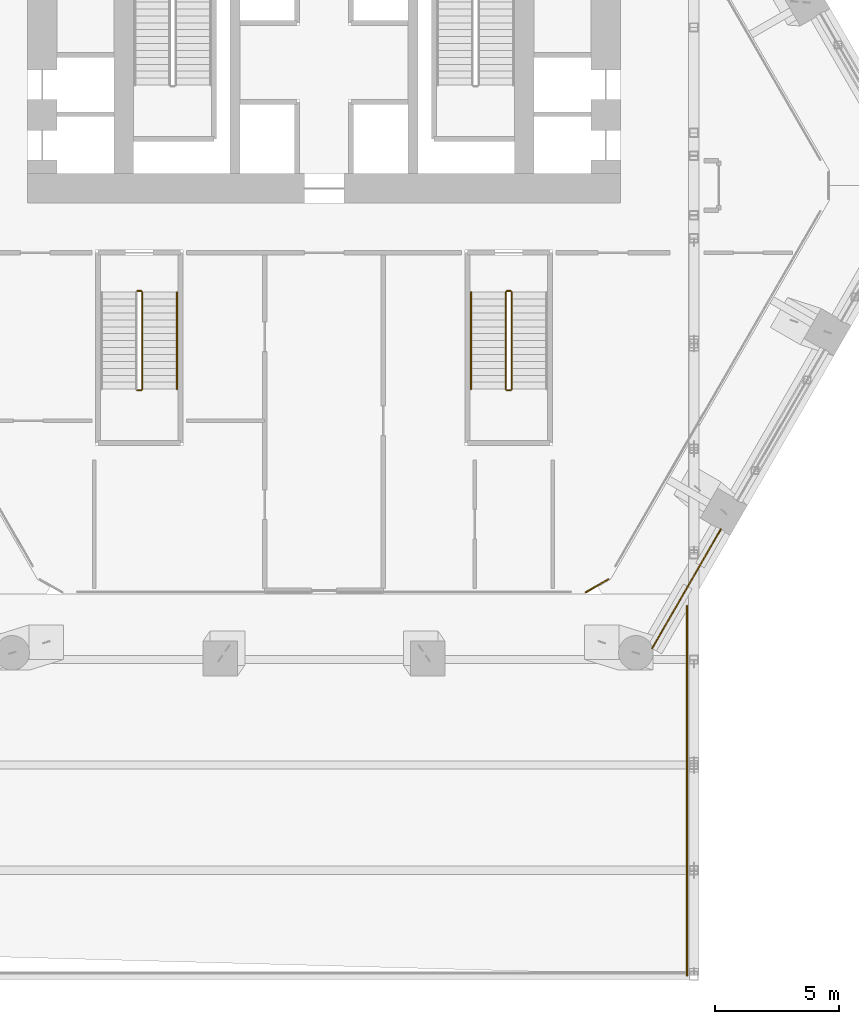
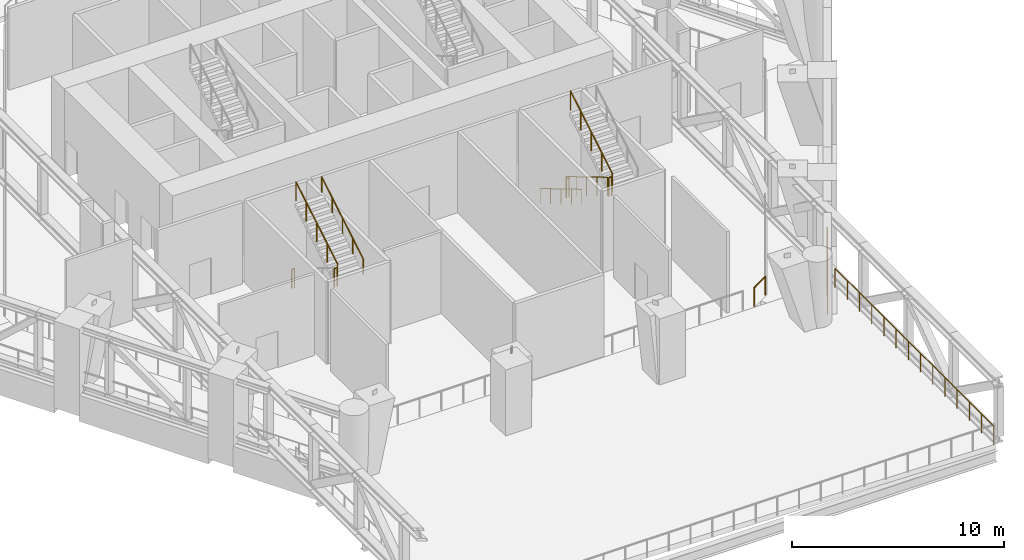
# One storey, part 17 of 20: 12 railings.
"""IFC4 building model written with IfcOpenShell, lengths in metres."""

from ifc_helpers import new_model, si_unit, direction, frame, origin, origin_2d, place, context, subcontext, project, spatial, circle, extrude, material, type_object, element, save


model = new_model("IFC4")

# Units and contexts
model_context = context("Model", 3, precision=1e-05, world=origin(), true_north=direction((0.0, 1.0)))
body_context = subcontext(model_context, "Body", "Model", "MODEL_VIEW")
ifc_project = project(units=[si_unit("LENGTHUNIT", "METRE"), si_unit("AREAUNIT", "SQUARE_METRE"), si_unit("VOLUMEUNIT", "CUBIC_METRE"), si_unit("PLANEANGLEUNIT", "RADIAN"), si_unit("MASSUNIT", "GRAM", prefix="KILO")], contexts=[model_context])

# Site, building, storey
site_placement = place(None, origin())
site = spatial("IfcSite", under=ifc_project, at=site_placement, CompositionType="ELEMENT")
building_placement = place(site_placement, origin())
building = spatial("IfcBuilding", under=site, at=building_placement, Name="Ostrander Bayou Hotel Tower", CompositionType="ELEMENT")
storey_placement = place(building_placement, frame((0.0, 0.0, 80.5)))
storey = spatial("IfcBuildingStorey", under=building, at=storey_placement, Name="L20", CompositionType="ELEMENT", Elevation=80.5)

# Railings
ifc_material_1 = material(Name="Stainless steel and clear glass", Category="steel")
railing_type_1 = type_object("IfcRailingType", Name="GR1 guard 1100 mm", PredefinedType="GUARDRAIL", material=ifc_material_1)
railing_1_placement = place(storey_placement, frame((13.272216796875, -19.712158203125, 0.0)))
element("IfcRailing", 1, at=railing_1_placement, inside=storey, type_object=railing_type_1, Name="GR1 L20 SE-1 open band guard", PredefinedType="GUARDRAIL", context=body_context, shape_type="SweptSolid", body=[
    extrude(circle(Radius=0.02490234375, at=origin_2d()), frame((0.0, 0.0, 1.0751953125), z_axis=(0.499976681983, 0.866038866029, 0.0), x_axis=(-0.866038866029, 0.499976681983, 0.0)), (0.0, 0.0, 1.0), 5.569580078125),
    extrude(circle(Radius=0.02001953125, at=origin_2d()), origin(), (0.0, 0.0, 1.0), 1.050048828125),
    extrude(circle(Radius=0.02001953125, at=origin_2d()), frame((0.556884765625, 0.964599609375, 0.0)), (0.0, 0.0, 1.0), 1.050048828125),
    extrude(circle(Radius=0.02001953125, at=origin_2d()), frame((1.11376953125, 1.929443359375, 0.0)), (0.0, 0.0, 1.0), 1.050048828125),
    extrude(circle(Radius=0.02001953125, at=origin_2d()), frame((1.6708984375, 2.89404296875, 0.0)), (0.0, 0.0, 1.0), 1.050048828125),
    extrude(circle(Radius=0.02001953125, at=origin_2d()), frame((2.227783203125, 3.85888671875, 0.0)), (0.0, 0.0, 1.0), 1.050048828125),
    extrude(circle(Radius=0.02001953125, at=origin_2d()), frame((2.78466796875, 4.823486328125, 0.0)), (0.0, 0.0, 1.0), 1.050048828125),
])
railing_2_placement = place(storey_placement, frame((10.589599609375, -17.443115234375, 0.0)))
element("IfcRailing", 2, at=railing_2_placement, inside=storey, type_object=railing_type_1, Name="GR1 L20 corner guard 4", PredefinedType="GUARDRAIL", context=body_context, shape_type="SweptSolid", body=[
    extrude(circle(Radius=0.02490234375, at=origin_2d()), frame((0.0, 0.0, 1.0751953125), z_axis=(0.866048165231, 0.499960573946, 0.0), x_axis=(-0.499960573946, 0.866048165231, 0.0)), (0.0, 0.0, 1.0), 1.06494140625),
    extrude(circle(Radius=0.02001953125, at=origin_2d()), origin(), (0.0, 0.0, 1.0), 1.050048828125),
    extrude(circle(Radius=0.02001953125, at=origin_2d()), frame((0.92236328125, 0.532470703125, 0.0)), (0.0, 0.0, 1.0), 1.050048828125),
])
railing_3_placement = place(storey_placement, frame((14.687255859375, -32.949951171875, 0.0)))
element("IfcRailing", 3, at=railing_3_placement, inside=storey, type_object=railing_type_1, Name="GR1 bar roof guard SB1 1", PredefinedType="GUARDRAIL", context=body_context, shape_type="SweptSolid", body=[
    extrude(circle(Radius=0.02490234375, at=origin_2d()), frame((0.0, 0.0, 1.0751953125), z_axis=(0.0, 1.0, 0.0), x_axis=(-1.0, 0.0, 0.0)), (0.0, 0.0, 1.0), 14.962158203125),
    extrude(circle(Radius=0.02001953125, at=origin_2d()), origin(), (0.0, 0.0, 1.0), 1.050048828125),
    extrude(circle(Radius=0.02001953125, at=origin_2d()), frame((0.0, 1.15087890625, 0.0)), (0.0, 0.0, 1.0), 1.050048828125),
    extrude(circle(Radius=0.02001953125, at=origin_2d()), frame((0.0, 2.3017578125, 0.0)), (0.0, 0.0, 1.0), 1.050048828125),
    extrude(circle(Radius=0.02001953125, at=origin_2d()), frame((0.0, 3.452880859375, 0.0)), (0.0, 0.0, 1.0), 1.050048828125),
    extrude(circle(Radius=0.02001953125, at=origin_2d()), frame((0.0, 4.603759765625, 0.0)), (0.0, 0.0, 1.0), 1.050048828125),
    extrude(circle(Radius=0.02001953125, at=origin_2d()), frame((0.0, 5.754638671875, 0.0)), (0.0, 0.0, 1.0), 1.050048828125),
    extrude(circle(Radius=0.02001953125, at=origin_2d()), frame((0.0, 6.905517578125, 0.0)), (0.0, 0.0, 1.0), 1.050048828125),
    extrude(circle(Radius=0.02001953125, at=origin_2d()), frame((0.0, 8.056640625, 0.0)), (0.0, 0.0, 1.0), 1.050048828125),
    extrude(circle(Radius=0.02001953125, at=origin_2d()), frame((0.0, 9.20751953125, 0.0)), (0.0, 0.0, 1.0), 1.050048828125),
    extrude(circle(Radius=0.02001953125, at=origin_2d()), frame((0.0, 10.3583984375, 0.0)), (0.0, 0.0, 1.0), 1.050048828125),
    extrude(circle(Radius=0.02001953125, at=origin_2d()), frame((0.0, 11.50927734375, 0.0)), (0.0, 0.0, 1.0), 1.050048828125),
    extrude(circle(Radius=0.02001953125, at=origin_2d()), frame((0.0, 12.660400390625, 0.0)), (0.0, 0.0, 1.0), 1.050048828125),
    extrude(circle(Radius=0.02001953125, at=origin_2d()), frame((0.0, 13.811279296875, 0.0)), (0.0, 0.0, 1.0), 1.050048828125),
    extrude(circle(Radius=0.02001953125, at=origin_2d()), frame((0.0, 14.962158203125, 0.0)), (0.0, 0.0, 1.0), 1.050048828125),
])
ifc_material_2 = material(Name="Steel ASTM A500 Gr C", Category="steel")
railing_type_2 = type_object("IfcRailingType", Name="GR1 stair guard 1100 mm steel", PredefinedType="GUARDRAIL", material=ifc_material_2)
railing_4_placement = place(storey_placement, frame((7.35009765625, -5.300048828125, 0.166748046875)))
element("IfcRailing", 4, at=railing_4_placement, inside=storey, type_object=railing_type_2, Name="L20 STC stair guard 1", PredefinedType="GUARDRAIL", context=body_context, shape_type="SweptSolid", body=[
    extrude(circle(Radius=0.02392578125, at=origin_2d()), frame((0.0, 0.0, 1.076171875), z_axis=(0.0, -0.859296244711, 0.511478214419), x_axis=(1.0, 0.0, 0.0)), (0.0, 0.0, 1.0), 4.561767578125),
    extrude(circle(Radius=0.02099609375, at=origin_2d()), origin(), (0.0, 0.0, 1.0), 1.052001953125),
    extrude(circle(Radius=0.02099609375, at=origin_2d()), frame((0.0, -0.97998046875, 0.583251953125)), (0.0, 0.0, 1.0), 1.052001953125),
    extrude(circle(Radius=0.02099609375, at=origin_2d()), frame((0.0, -1.9599609375, 1.16650390625)), (0.0, 0.0, 1.0), 1.052001953125),
    extrude(circle(Radius=0.02099609375, at=origin_2d()), frame((0.0, -2.93994140625, 1.75)), (0.0, 0.0, 1.0), 1.052001953125),
    extrude(circle(Radius=0.02099609375, at=origin_2d()), frame((0.0, -3.919921875, 2.333251953125)), (0.0, 0.0, 1.0), 1.052001953125),
])
railing_5_placement = place(storey_placement, frame((7.39990234375, -9.27001953125, 2.5)))
element("IfcRailing", 5, at=railing_5_placement, inside=storey, type_object=railing_type_2, Name="L20 STC stair guard 2", PredefinedType="GUARDRAIL", context=body_context, shape_type="SweptSolid", body=[
    extrude(circle(Radius=0.02392578125, at=origin_2d()), frame((0.0, 0.0, 1.076171875), z_axis=(1.0, 0.0, 0.0), x_axis=(0.0, 1.0, 0.0)), (0.0, 0.0, 1.0), 0.150146484375),
    extrude(circle(Radius=0.02099609375, at=origin_2d()), origin(), (0.0, 0.0, 1.0), 1.052001953125),
    extrude(circle(Radius=0.02099609375, at=origin_2d()), frame((0.150146484375, 0.0, 0.0)), (0.0, 0.0, 1.0), 1.052001953125),
])
railing_6_placement = place(storey_placement, frame((7.60009765625, -9.219970703125, 2.666748046875)))
element("IfcRailing", 6, at=railing_6_placement, inside=storey, type_object=railing_type_2, Name="L20 STC stair guard 3", PredefinedType="GUARDRAIL", context=body_context, shape_type="SweptSolid", body=[
    extrude(circle(Radius=0.02392578125, at=origin_2d()), frame((0.0, 0.0, 1.076171875), z_axis=(0.0, 0.859296244711, 0.511478214419), x_axis=(-1.0, 0.0, 0.0)), (0.0, 0.0, 1.0), 4.561767578125),
    extrude(circle(Radius=0.02099609375, at=origin_2d()), origin(), (0.0, 0.0, 1.0), 1.052001953125),
    extrude(circle(Radius=0.02099609375, at=origin_2d()), frame((0.0, 0.97998046875, 0.583251953125)), (0.0, 0.0, 1.0), 1.052001953125),
    extrude(circle(Radius=0.02099609375, at=origin_2d()), frame((0.0, 1.9599609375, 1.16650390625)), (0.0, 0.0, 1.0), 1.052001953125),
    extrude(circle(Radius=0.02099609375, at=origin_2d()), frame((0.0, 2.93994140625, 1.75)), (0.0, 0.0, 1.0), 1.052001953125),
    extrude(circle(Radius=0.02099609375, at=origin_2d()), frame((0.0, 3.919921875, 2.333251953125)), (0.0, 0.0, 1.0), 1.052001953125),
])
for number, where, name in (
    (7, (7.39990234375, -5.25, 0.0), "L20 STC stair guard 4"),
    (8, (-7.550048828125, -9.27001953125, 2.5), "L20 STD stair guard 2"),
):
    element("IfcRailing", number, at=place(storey_placement, frame(where)), inside=storey, type_object=railing_type_2, Name=name, PredefinedType="GUARDRAIL", context=body_context, shape_type="SweptSolid", body=[
        extrude(circle(Radius=0.02392578125, at=origin_2d()), frame((0.0, 0.0, 1.076171875), z_axis=(1.0, 0.0, 0.0), x_axis=(0.0, 1.0, 0.0)), (0.0, 0.0, 1.0), 0.150146484375),
        extrude(circle(Radius=0.02099609375, at=origin_2d()), origin(), (0.0, 0.0, 1.0), 1.052001953125),
        extrude(circle(Radius=0.02099609375, at=origin_2d()), frame((0.150146484375, 0.0, 0.0)), (0.0, 0.0, 1.0), 1.052001953125),
    ])
railing_7_placement = place(storey_placement, frame((-7.35009765625, -9.219970703125, 2.666748046875)))
element("IfcRailing", 9, at=railing_7_placement, inside=storey, type_object=railing_type_2, Name="L20 STD stair guard 3", PredefinedType="GUARDRAIL", context=body_context, shape_type="SweptSolid", body=[
    extrude(circle(Radius=0.02392578125, at=origin_2d()), frame((0.0, 0.0, 1.076171875), z_axis=(0.0, 0.859296244711, 0.511478214419), x_axis=(-1.0, 0.0, 0.0)), (0.0, 0.0, 1.0), 4.561767578125),
    extrude(circle(Radius=0.02099609375, at=origin_2d()), origin(), (0.0, 0.0, 1.0), 1.052001953125),
    extrude(circle(Radius=0.02099609375, at=origin_2d()), frame((0.0, 0.97998046875, 0.583251953125)), (0.0, 0.0, 1.0), 1.052001953125),
    extrude(circle(Radius=0.02099609375, at=origin_2d()), frame((0.0, 1.9599609375, 1.16650390625)), (0.0, 0.0, 1.0), 1.052001953125),
    extrude(circle(Radius=0.02099609375, at=origin_2d()), frame((0.0, 2.93994140625, 1.75)), (0.0, 0.0, 1.0), 1.052001953125),
    extrude(circle(Radius=0.02099609375, at=origin_2d()), frame((0.0, 3.919921875, 2.333251953125)), (0.0, 0.0, 1.0), 1.052001953125),
])
railing_8_placement = place(storey_placement, frame((-7.550048828125, -5.25, 0.0)))
element("IfcRailing", 10, at=railing_8_placement, inside=storey, type_object=railing_type_2, Name="L20 STD stair guard 4", PredefinedType="GUARDRAIL", context=body_context, shape_type="SweptSolid", body=[
    extrude(circle(Radius=0.02392578125, at=origin_2d()), frame((0.0, 0.0, 1.076171875), z_axis=(1.0, 0.0, 0.0), x_axis=(0.0, 1.0, 0.0)), (0.0, 0.0, 1.0), 0.150146484375),
    extrude(circle(Radius=0.02099609375, at=origin_2d()), origin(), (0.0, 0.0, 1.0), 1.052001953125),
    extrude(circle(Radius=0.02099609375, at=origin_2d()), frame((0.150146484375, 0.0, 0.0)), (0.0, 0.0, 1.0), 1.052001953125),
])
ifc_material_3 = material(Name="Steel ASTM A500 Gr C", Category="steel")
railing_type_3 = type_object("IfcRailingType", Name="HR1 stair handrail 900 mm steel", PredefinedType="HANDRAIL", material=ifc_material_3)
railing_9_placement = place(storey_placement, frame((5.949951171875, -5.300048828125, 0.166748046875)))
element("IfcRailing", 11, at=railing_9_placement, inside=storey, type_object=railing_type_3, Name="L20 STC stair handrail 1", PredefinedType="HANDRAIL", context=body_context, shape_type="SweptSolid", body=[
    extrude(circle(Radius=0.02392578125, at=origin_2d()), frame((0.0, 0.0, 0.8759765625), z_axis=(0.0, -0.859296244711, 0.511478214419), x_axis=(1.0, 0.0, 0.0)), (0.0, 0.0, 1.0), 4.561767578125),
    extrude(circle(Radius=0.02099609375, at=origin_2d()), origin(), (0.0, 0.0, 1.0), 0.851806640625),
    extrude(circle(Radius=0.02099609375, at=origin_2d()), frame((0.0, -0.97998046875, 0.583251953125)), (0.0, 0.0, 1.0), 0.851806640625),
    extrude(circle(Radius=0.02099609375, at=origin_2d()), frame((0.0, -1.9599609375, 1.16650390625)), (0.0, 0.0, 1.0), 0.851806640625),
    extrude(circle(Radius=0.02099609375, at=origin_2d()), frame((0.0, -2.93994140625, 1.75)), (0.0, 0.0, 1.0), 0.851806640625),
    extrude(circle(Radius=0.02099609375, at=origin_2d()), frame((0.0, -3.919921875, 2.333251953125)), (0.0, 0.0, 1.0), 0.851806640625),
])
railing_10_placement = place(storey_placement, frame((-5.949951171875, -9.219970703125, 2.666748046875)))
element("IfcRailing", 12, at=railing_10_placement, inside=storey, type_object=railing_type_3, Name="L20 STD stair handrail 2", PredefinedType="HANDRAIL", context=body_context, shape_type="SweptSolid", body=[
    extrude(circle(Radius=0.02392578125, at=origin_2d()), frame((0.0, 0.0, 0.8759765625), z_axis=(0.0, 0.859296244711, 0.511478214419), x_axis=(-1.0, 0.0, 0.0)), (0.0, 0.0, 1.0), 4.561767578125),
    extrude(circle(Radius=0.02099609375, at=origin_2d()), origin(), (0.0, 0.0, 1.0), 0.851806640625),
    extrude(circle(Radius=0.02099609375, at=origin_2d()), frame((0.0, 0.97998046875, 0.583251953125)), (0.0, 0.0, 1.0), 0.851806640625),
    extrude(circle(Radius=0.02099609375, at=origin_2d()), frame((0.0, 1.9599609375, 1.16650390625)), (0.0, 0.0, 1.0), 0.851806640625),
    extrude(circle(Radius=0.02099609375, at=origin_2d()), frame((0.0, 2.93994140625, 1.75)), (0.0, 0.0, 1.0), 0.851806640625),
    extrude(circle(Radius=0.02099609375, at=origin_2d()), frame((0.0, 3.919921875, 2.333251953125)), (0.0, 0.0, 1.0), 0.851806640625),
])

save(model, "model.ifc")
